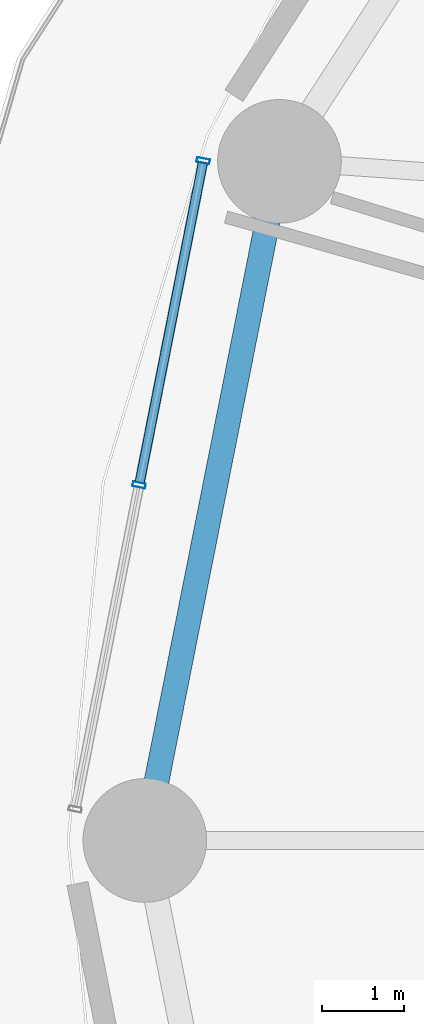
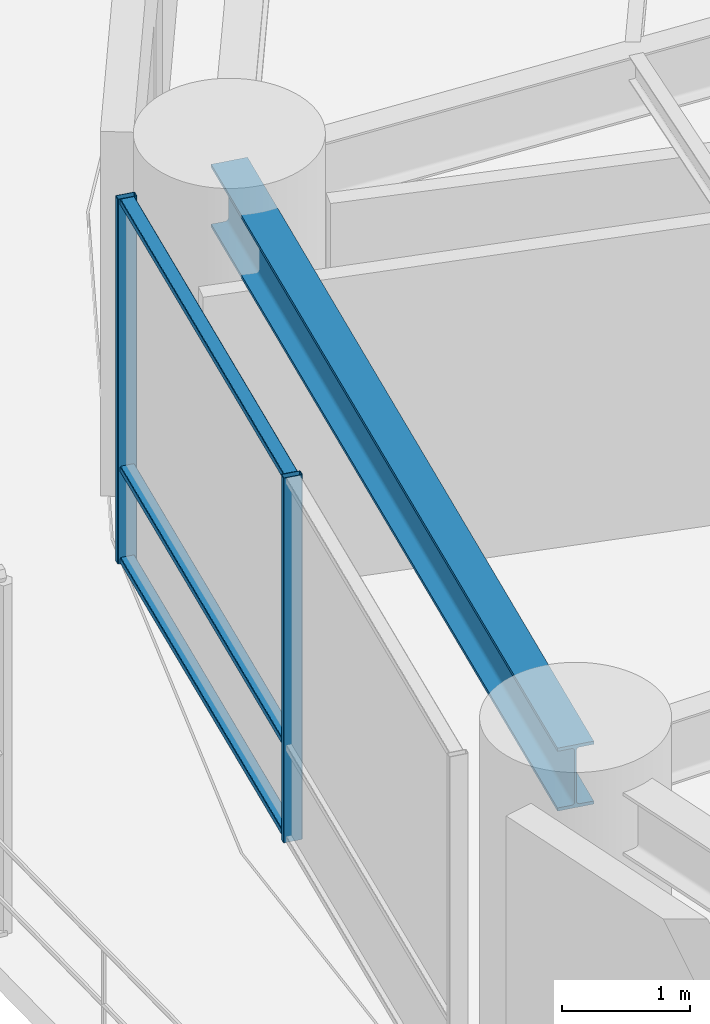
# One storey, part 15 of 32: 5 members, 1 beam, 1 element without a shape of its own.
"""IFC4 building model written with IfcOpenShell, lengths in metres."""

from ifc_helpers import new_model, si_unit, direction, frame, origin, origin_2d, place, context, subcontext, project, spatial, hollow_rectangle, i_section, extrude, material, layer, layer_set, material_profile, profile_set, type_object, element, aggregate, save


model = new_model("IFC4")

# Units and contexts
model_context = context("Model", 3, precision=1e-05, world=origin(), true_north=direction((0.0, 1.0)))
body_context = subcontext(model_context, "Body", "Model", "MODEL_VIEW")
ifc_project = project(units=[si_unit("LENGTHUNIT", "METRE"), si_unit("AREAUNIT", "SQUARE_METRE"), si_unit("VOLUMEUNIT", "CUBIC_METRE"), si_unit("PLANEANGLEUNIT", "RADIAN"), si_unit("MASSUNIT", "GRAM", prefix="KILO")], contexts=[model_context])

# Site, building, storey
site_placement = place(None, origin())
site = spatial("IfcSite", under=ifc_project, at=site_placement, CompositionType="ELEMENT")
building_placement = place(site_placement, origin())
building = spatial("IfcBuilding", under=site, at=building_placement, Name="Kelanora Arch Commons", CompositionType="ELEMENT")
storey_placement = place(building_placement, frame((0.0, 0.0, 52.5)))
storey = spatial("IfcBuildingStorey", under=building, at=storey_placement, Name="L13", CompositionType="ELEMENT", Elevation=52.5)

# Beam
ifc_material_1 = material(Name="Steel S355", Category="steel")
ifc_material_profile_1 = material_profile(ifc_material_1, i_section(OverallWidth=0.300048828125, OverallDepth=0.60009765625, WebThickness=0.015380859375, FlangeThickness=0.030029296875, FilletRadius=0.027099609375, at=origin_2d()), Name="HEB600")
ifc_profile_set_1 = profile_set([ifc_material_profile_1], Name="Steel S355")
beam_type = type_object("IfcBeamType", Name="BM-SPN-Z1", PredefinedType="SPANDREL", material=ifc_profile_set_1)
beam_placement = place(storey_placement, frame((48.552978515625, 66.23583984375, 3.18994140625), z_axis=(-0.194499827256, -0.980902552345, 0.0), x_axis=(0.980902552345, -0.194499827256, 0.0)))
element("IfcBeam", 1, at=beam_placement, inside=storey, type_object=beam_type, Name="Perimeter Spandrel Beam BS-16 L13", PredefinedType="SPANDREL", context=body_context, shape_type="SweptSolid", body=[
    extrude(i_section(OverallWidth=0.300048828125, OverallDepth=0.60009765625, WebThickness=0.015380859375, FlangeThickness=0.030029296875, FilletRadius=0.027099609375, at=origin_2d()), origin(), (0.0, 0.0, 1.0), 8.396240234375),
])

# Curtain wall, members
ifc_material_2 = material(Name="Terracotta ceramic-fritted low-E glass and aluminium", Category="masonry")
ifc_layer = layer(ifc_material_2, 0.159912109375)
ifc_layer_set = layer_set([ifc_layer], Name="Terracotta ceramic-fritted low-E glass and aluminium")
curtain_wall_type = type_object("IfcCurtainWallType", Name="CW-SYS-01", PredefinedType="NOTDEFINED", material=ifc_layer_set)
curtain_wall_placement = place(storey_placement, origin())
curtain_wall = element("IfcCurtainWall", 2, at=curtain_wall_placement, inside=storey, type_object=curtain_wall_type, Name="Unitised Curtain Wall L13-B08", PredefinedType="NOTDEFINED")
ifc_material_3 = material(Name="Powder-coated aluminium terracotta", Category="masonry")
ifc_material_profile_2 = material_profile(ifc_material_3, hollow_rectangle(XDim=0.159912109375, YDim=0.06005859375, WallThickness=0.0048828125, InnerFilletRadius=0.0048828125, OuterFilletRadius=0.010009765625, at=origin_2d()), Name="CWM160x60")
ifc_profile_set_2 = profile_set([ifc_material_profile_2], Name="Powder-coated aluminium terracotta")
member_type_1 = type_object("IfcMemberType", Name="CWM-STD", PredefinedType="MULLION", material=ifc_profile_set_2)
member_1_placement = place(storey_placement, frame((47.628173828125, 66.243896484375, 0.0), z_axis=(0.0, 0.0, 1.0), x_axis=(0.981052110579, -0.193744048498, 0.0)))
member_1 = element("IfcMember", 3, at=member_1_placement, type_object=member_type_1, Name="CW-01 mullion 1", PredefinedType="MULLION", context=body_context, shape_type="SweptSolid", body=[
    extrude(hollow_rectangle(XDim=0.159912109375, YDim=0.06005859375, WallThickness=0.0048828125, InnerFilletRadius=0.0048828125, OuterFilletRadius=0.010009765625, at=origin_2d()), origin(), (0.0, 0.0, 1.0), 3.47509765625),
])
member_2_placement = place(storey_placement, frame((46.8515625, 62.3115234375, 0.0), z_axis=(0.0, 0.0, 1.0), x_axis=(0.981052110579, -0.193744048498, 0.0)))
member_2 = element("IfcMember", 4, at=member_2_placement, type_object=member_type_1, Name="CW-01 mullion 2", PredefinedType="MULLION", context=body_context, shape_type="SweptSolid", body=[
    extrude(hollow_rectangle(XDim=0.159912109375, YDim=0.06005859375, WallThickness=0.0048828125, InnerFilletRadius=0.0048828125, OuterFilletRadius=0.010009765625, at=origin_2d()), origin(), (0.0, 0.0, 1.0), 3.47509765625),
])
ifc_material_profile_3 = material_profile(ifc_material_3, hollow_rectangle(XDim=0.1201171875, YDim=0.06005859375, WallThickness=0.0048828125, InnerFilletRadius=0.0048828125, OuterFilletRadius=0.010009765625, at=origin_2d()), Name="CWT120x60")
ifc_profile_set_3 = profile_set([ifc_material_profile_3], Name="Powder-coated aluminium terracotta")
member_type_2 = type_object("IfcMemberType", Name="CWT-STD", PredefinedType="USERDEFINED", material=ifc_profile_set_3)
member_3_placement = place(storey_placement, frame((47.622314453125, 66.21435546875, 0.030029296875), z_axis=(-0.193725436624, -0.98105578598, 0.0), x_axis=(0.98105578598, -0.193725436624, 0.0)))
member_3 = element("IfcMember", 5, at=member_3_placement, type_object=member_type_2, Name="CW-01 transom 1.1", ObjectType="TRANSOM", PredefinedType="USERDEFINED", context=body_context, shape_type="SweptSolid", body=[
    extrude(hollow_rectangle(XDim=0.1201171875, YDim=0.06005859375, WallThickness=0.0048828125, InnerFilletRadius=0.0048828125, OuterFilletRadius=0.010009765625, at=origin_2d()), origin(), (0.0, 0.0, 1.0), 3.9482421875),
])
member_4_placement = place(storey_placement, frame((47.622314453125, 66.21435546875, 0.89990234375), z_axis=(-0.193725436624, -0.98105578598, 0.0), x_axis=(0.98105578598, -0.193725436624, 0.0)))
member_4 = element("IfcMember", 6, at=member_4_placement, type_object=member_type_2, Name="CW-01 transom 1.2", ObjectType="TRANSOM", PredefinedType="USERDEFINED", context=body_context, shape_type="SweptSolid", body=[
    extrude(hollow_rectangle(XDim=0.1201171875, YDim=0.06005859375, WallThickness=0.0048828125, InnerFilletRadius=0.0048828125, OuterFilletRadius=0.010009765625, at=origin_2d()), origin(), (0.0, 0.0, 1.0), 3.9482421875),
])
member_5_placement = place(storey_placement, frame((47.622314453125, 66.21435546875, 3.445068359375), z_axis=(-0.193725436624, -0.98105578598, 0.0), x_axis=(0.98105578598, -0.193725436624, 0.0)))
member_5 = element("IfcMember", 7, at=member_5_placement, type_object=member_type_2, Name="CW-01 transom 1.3", ObjectType="TRANSOM", PredefinedType="USERDEFINED", context=body_context, shape_type="SweptSolid", body=[
    extrude(hollow_rectangle(XDim=0.1201171875, YDim=0.06005859375, WallThickness=0.0048828125, InnerFilletRadius=0.0048828125, OuterFilletRadius=0.010009765625, at=origin_2d()), origin(), (0.0, 0.0, 1.0), 3.9482421875),
])
aggregate(curtain_wall, [member_1, member_2, member_3, member_4, member_5])

save(model, "model.ifc")
